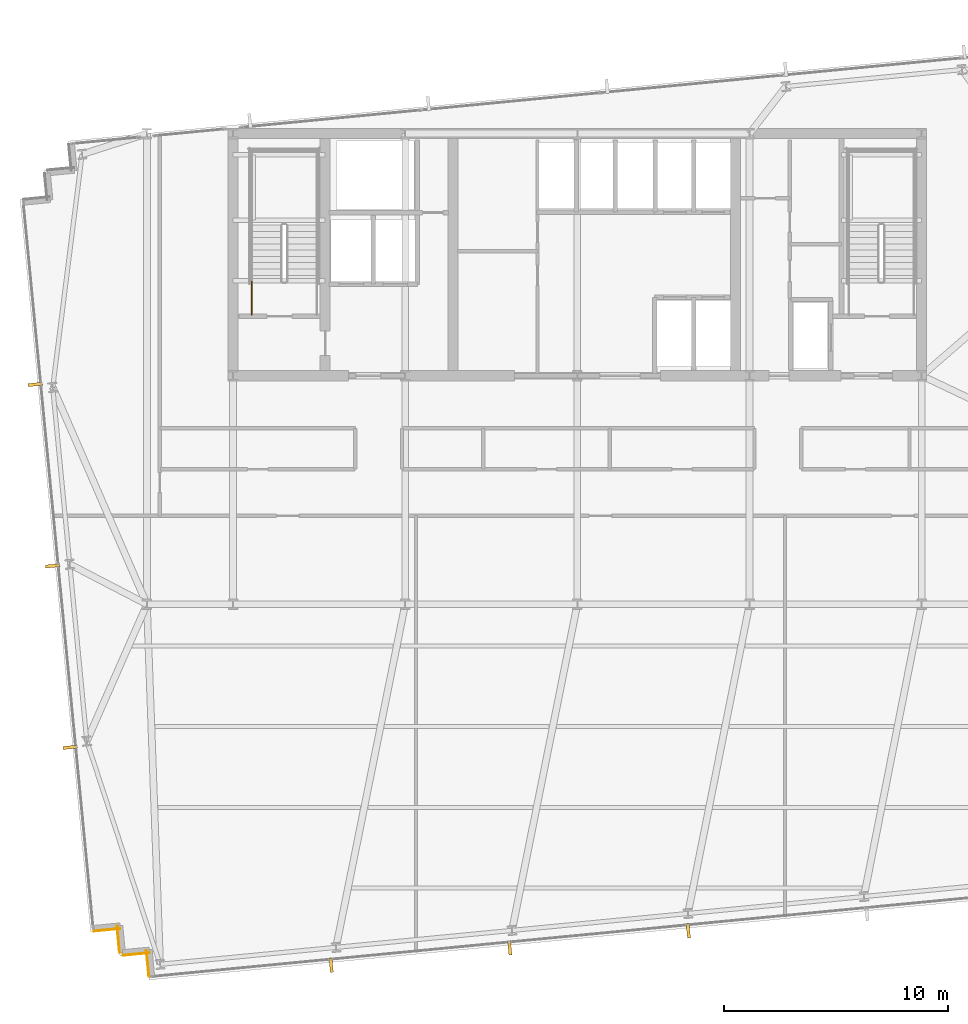
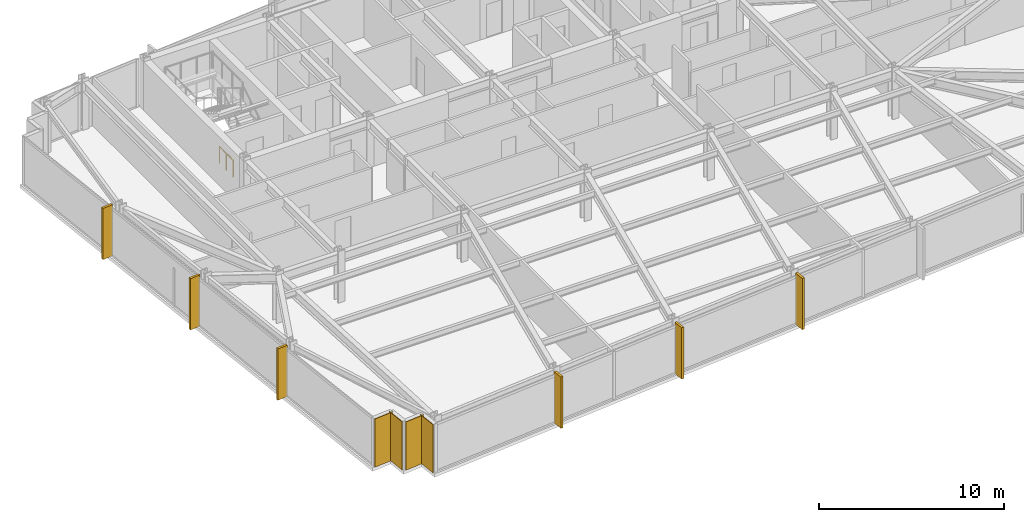
# One storey, part 27 of 32: 6 shading devices, 4 coverings, 1 railing.
"""IFC4 building model written with IfcOpenShell, lengths in metres."""

from ifc_helpers import new_model, si_unit, direction, frame, frame_2d, origin, origin_2d, place, context, subcontext, project, spatial, rectangle, circle, extrude, material, layer, layer_set, type_object, element, save


model = new_model("IFC4")

# Units and contexts
model_context = context("Model", 3, precision=1e-05, world=origin(), true_north=direction((0.0, 1.0)))
body_context = subcontext(model_context, "Body", "Model", "MODEL_VIEW")
ifc_project = project(units=[si_unit("LENGTHUNIT", "METRE"), si_unit("AREAUNIT", "SQUARE_METRE"), si_unit("VOLUMEUNIT", "CUBIC_METRE"), si_unit("PLANEANGLEUNIT", "RADIAN"), si_unit("MASSUNIT", "GRAM", prefix="KILO")], contexts=[model_context])

# Site, building, storey
site_placement = place(None, origin())
site = spatial("IfcSite", under=ifc_project, at=site_placement, CompositionType="ELEMENT")
building_placement = place(site_placement, origin())
building = spatial("IfcBuilding", under=site, at=building_placement, Name="Yelkora Congress Tower", CompositionType="ELEMENT")
storey_placement = place(building_placement, frame((0.0, 0.0, 120.300048828125)))
storey = spatial("IfcBuildingStorey", under=building, at=storey_placement, Name="L32", CompositionType="ELEMENT", Elevation=120.300048828125)

# Coverings
ifc_material_1 = material(Name="Anatolian bush-hammered limestone", Category="masonry")
ifc_layer_1 = layer(ifc_material_1, 0.0400390625)
ifc_layer_set_1 = layer_set([ifc_layer_1], Name="Anatolian bush-hammered limestone")
covering_type = type_object("IfcCoveringType", Name="COV-CLAD-SPANDREL-40", PredefinedType="CLADDING", material=ifc_layer_set_1)
covering_1_placement = place(storey_placement, frame((19.29248046875, 8.58447265625, 0.0), z_axis=(0.0, 0.0, 1.0), x_axis=(-0.095836473879, 0.995397091755, 0.0)))
element("IfcCovering", 1, at=covering_1_placement, inside=storey, type_object=covering_type, Name="L32 Anatolian Limestone Cladding EW-L32-SR01", PredefinedType="CLADDING", context=body_context, shape_type="SweptSolid", body=[
    extrude(rectangle(XDim=1.199951171875, YDim=0.0400390625, at=frame_2d((0.60009765625, 0.0))), origin(), (0.0, 0.0, 1.0), 3.179931640625),
])
for number, where, z_axis, x_axis, name in (
    (2, (19.32470703125, 9.657470703125, 0.0), (0.0, 0.0, 1.0), (-0.995398960025, -0.095817067274, 0.0), "L32 Anatolian Limestone Cladding EW-L32-SR02"),
    (3, (17.98291015625, 9.663818359375, 0.0), (0.0, 0.0, 1.0), (-0.095817067274, 0.995398960025, 0.0), "L32 Anatolian Limestone Cladding EW-L32-SR03"),
):
    element("IfcCovering", number, at=place(storey_placement, frame(where, z_axis=z_axis, x_axis=x_axis)), inside=storey, type_object=covering_type, Name=name, PredefinedType="CLADDING", context=body_context, shape_type="SweptSolid", body=[
        extrude(rectangle(XDim=1.2001953125, YDim=0.0400390625, at=frame_2d((0.60009765625, 0.0))), origin(), (0.0, 0.0, 1.0), 3.179931640625),
    ])
covering_2_placement = place(storey_placement, frame((18.01513671875, 10.737060546875, 0.0), z_axis=(0.0, 0.0, 1.0), x_axis=(-0.995397091755, -0.095836473879, 0.0)))
element("IfcCovering", 4, at=covering_2_placement, inside=storey, type_object=covering_type, Name="L32 Anatolian Limestone Cladding EW-L32-SR04", PredefinedType="CLADDING", context=body_context, shape_type="SweptSolid", body=[
    extrude(rectangle(XDim=1.199951171875, YDim=0.0400390625, at=frame_2d((0.60009765625, 0.0))), origin(), (0.0, 0.0, 1.0), 3.179931640625),
])

# Railing
ifc_material_2 = material(Name="Painted galvanised steel stair well guard with vertical infill", Category="steel")
ifc_layer_2 = layer(ifc_material_2, 0.06005859375)
ifc_layer_set_2 = layer_set([ifc_layer_2], Name="Painted galvanised steel stair well guard with vertical infill")
railing_type = type_object("IfcRailingType", Name="RAIL-STAIR-GUARD-1120", PredefinedType="GUARDRAIL", material=ifc_layer_set_2)
railing_placement = place(storey_placement, frame((23.8701171875, 38.1201171875, 0.0)))
element("IfcRailing", 5, at=railing_placement, inside=storey, type_object=railing_type, Name="ST-01 L32 Stair Well Guardrail 9", PredefinedType="GUARDRAIL", context=body_context, shape_type="SweptSolid", body=[
    extrude(circle(Radius=0.02392578125, at=origin_2d()), frame((0.0, 0.0, 1.09619140625), z_axis=(0.0, 1.0, 0.0), x_axis=(-1.0, 0.0, 0.0)), (0.0, 0.0, 1.0), 1.47998046875),
    extrude(circle(Radius=0.02099609375, at=origin_2d()), origin(), (0.0, 0.0, 1.0), 1.072021484375),
    extrude(circle(Radius=0.02099609375, at=origin_2d()), frame((0.0, 0.739990234375, 0.0)), (0.0, 0.0, 1.0), 1.072021484375),
    extrude(circle(Radius=0.02099609375, at=origin_2d()), frame((0.0, 1.47998046875, 0.0)), (0.0, 0.0, 1.0), 1.072021484375),
])

# Shading devices
ifc_material_3 = material(Name="Champagne anodised aluminium", Category="aluminium")
ifc_layer_3 = layer(ifc_material_3, 3.39990234375)
ifc_layer_set_3 = layer_set([ifc_layer_3], Name="Champagne anodised aluminium")
shading_device_type = type_object("IfcShadingDeviceType", Name="SHD-FIN-ALU-640", PredefinedType="USERDEFINED", material=ifc_layer_set_3)
for number, where, z_axis, x_axis, name in (
    (6, (15.769775390625, 18.823974609375, -0.030029296875), (0.0, 0.0, 1.0), (-0.09584575252, 0.995396198367, 0.0), "L32 Vertical Anodised Solar Fin 5-1"),
    (7, (14.990478515625, 26.91650390625, -0.030029296875), (0.0, 0.0, 1.0), (-0.09584575252, 0.995396198367, 0.0), "L32 Vertical Anodised Solar Fin 5-2"),
    (8, (14.211181640625, 35.00927734375, -0.030029296875), (0.0, 0.0, 1.0), (-0.09584575252, 0.995396198367, 0.0), "L32 Vertical Anodised Solar Fin 5-3"),
    (9, (43.349609375, 10.639892578125, -0.030029296875), (0.0, 0.0, 1.0), (-0.995396198367, -0.09584575252, 0.0), "L32 Vertical Anodised Solar Fin 20-4"),
    (10, (35.3837890625, 9.872802734375, -0.030029296875), (0.0, 0.0, 1.0), (-0.995396198367, -0.09584575252, 0.0), "L32 Vertical Anodised Solar Fin 20-5"),
    (11, (27.417724609375, 9.105712890625, -0.030029296875), (0.0, 0.0, 1.0), (-0.995396198367, -0.09584575252, 0.0), "L32 Vertical Anodised Solar Fin 20-6"),
):
    element("IfcShadingDevice", number, at=place(storey_placement, frame(where, z_axis=z_axis, x_axis=x_axis)), inside=storey, type_object=shading_device_type, Name=name, ObjectType="FIN", PredefinedType="USERDEFINED", context=body_context, shape_type="SweptSolid", body=[
        extrude(rectangle(XDim=0.139892578125, YDim=0.639892578125, at=origin_2d()), origin(), (0.0, 0.0, 1.0), 3.3798828125),
    ])

save(model, "model.ifc")
